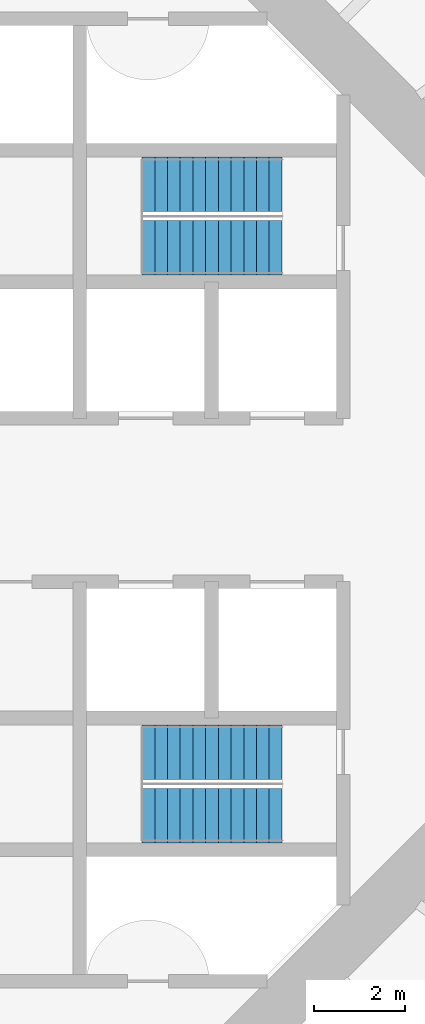
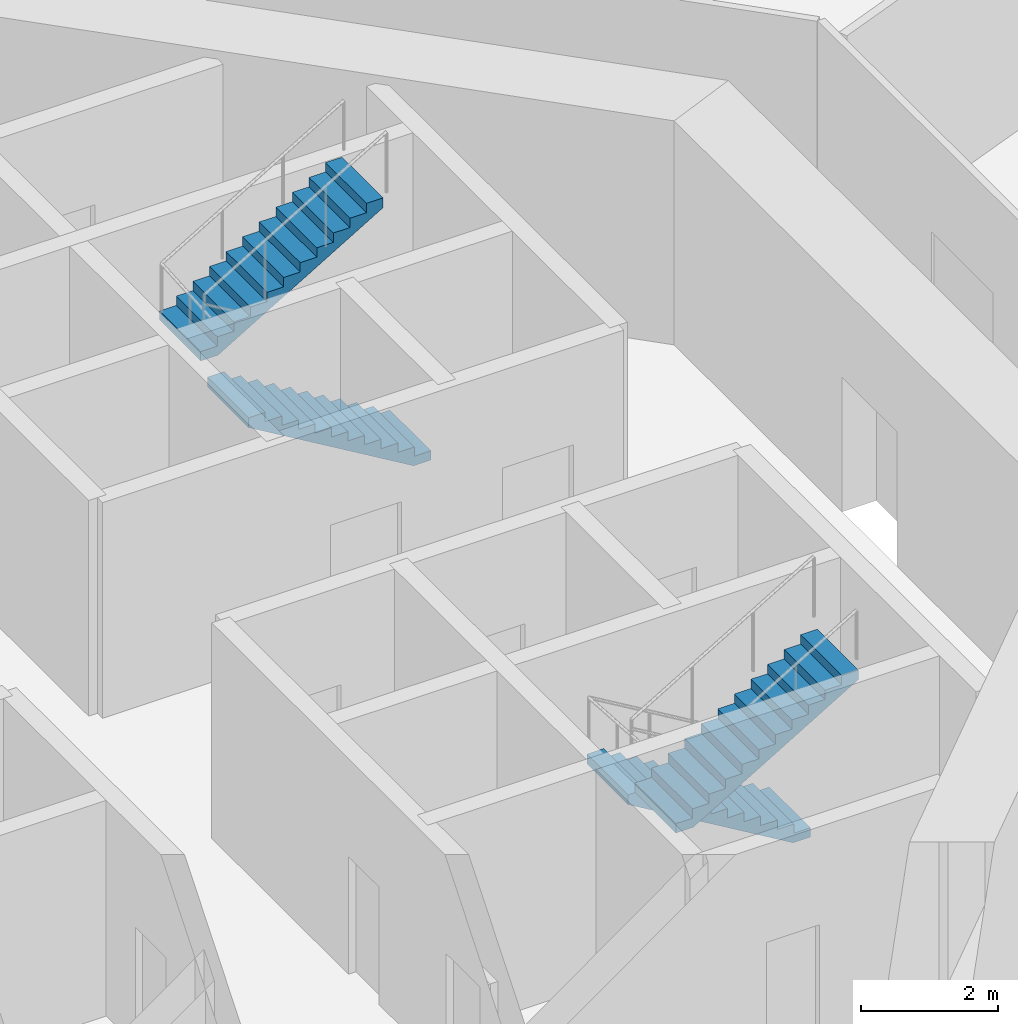
# One storey, part 6 of 13: 4 stair flights, 2 elements without a shape of their own.
"""IFC4 building model written with IfcOpenShell, lengths in metres."""

from ifc_helpers import new_model, si_unit, direction, frame, origin, place, context, subcontext, project, spatial, polyline, outline, extrude, material, type_object, element, aggregate, save


model = new_model("IFC4")

# Units and contexts
model_context = context("Model", 3, precision=1e-05, world=origin(), true_north=direction((0.0, 1.0)))
body_context = subcontext(model_context, "Body", "Model", "MODEL_VIEW")
ifc_project = project(units=[si_unit("LENGTHUNIT", "METRE"), si_unit("AREAUNIT", "SQUARE_METRE"), si_unit("VOLUMEUNIT", "CUBIC_METRE"), si_unit("PLANEANGLEUNIT", "RADIAN"), si_unit("MASSUNIT", "GRAM", prefix="KILO")], contexts=[model_context])

# Site, building, storey
site_placement = place(None, origin())
site = spatial("IfcSite", under=ifc_project, at=site_placement, CompositionType="ELEMENT")
building_placement = place(site_placement, origin())
building = spatial("IfcBuilding", under=site, at=building_placement, Name="Entoto Ring Tower", CompositionType="ELEMENT")
storey_placement = place(building_placement, frame((0.0, 0.0, 112.0)))
storey = spatial("IfcBuildingStorey", under=building, at=storey_placement, Name="L25", CompositionType="ELEMENT", Elevation=112.0)

# Stair, stair flights
ifc_material_1 = material(Name="Concrete C40/50", Category="concrete")
stair_type = type_object("IfcStairType", Name="Exit stair 1200 mm dog-leg reinforced concrete", PredefinedType="HALF_TURN_STAIR", material=ifc_material_1)
stair_1_placement = place(storey_placement, origin())
stair_1 = element("IfcStair", 1, at=stair_1_placement, inside=storey, type_object=stair_type, Name="Exit stair 1", PredefinedType="HALF_TURN_STAIR")
ifc_material_2 = material(Name="Concrete C40/50", Category="concrete")
stair_flight_type = type_object("IfcStairFlightType", Name="Stair flight 1200 mm reinforced concrete", PredefinedType="STRAIGHT", material=ifc_material_2)
stair_flight_1_placement = place(storey_placement, frame((99.25, 85.550048828125, 0.0), z_axis=(0.0, 0.0, 1.0), x_axis=(-1.0, 0.0, 0.0)))
stair_flight_1 = element("IfcStairFlight", 2, at=stair_flight_1_placement, type_object=stair_flight_type, Name="ST1 flight 1", NumberOfRisers=12, NumberOfTreads=11, PredefinedType="STRAIGHT", RiserHeight=0.166666667, TreadLength=0.28, context=body_context, shape_type="SweptSolid", body=[
    extrude(outline(polyline([(0.0, 0.0), (0.0, 0.166748046875), (0.280029296875, 0.166748046875), (0.280029296875, 0.333251953125), (0.56005859375, 0.333251953125), (0.56005859375, 0.5), (0.840087890625, 0.5), (0.840087890625, 0.666748046875), (1.1201171875, 0.666748046875), (1.1201171875, 0.833251953125), (1.39990234375, 0.833251953125), (1.39990234375, 1.0), (1.679931640625, 1.0), (1.679931640625, 1.166748046875), (1.9599609375, 1.166748046875), (1.9599609375, 1.333251953125), (2.239990234375, 1.333251953125), (2.239990234375, 1.5), (2.52001953125, 1.5), (2.52001953125, 1.666748046875), (2.800048828125, 1.666748046875), (2.800048828125, 1.833251953125), (3.080078125, 1.833251953125), (3.080078125, 2.0), (3.080078125, 1.658935546875), (0.29296875, 0.0), (0.0, 0.0)])), frame((0.0, 0.60009765625, 0.0), z_axis=(0.0, -1.0, 0.0), x_axis=(1.0, 0.0, 0.0)), (0.0, 0.0, 1.0), 1.199951171875),
])
stair_flight_2_placement = place(storey_placement, frame((96.169921875, 86.949951171875, 2.0), z_axis=(0.0, 0.0, 1.0), x_axis=(1.0, 0.0, 0.0)))
stair_flight_2 = element("IfcStairFlight", 3, at=stair_flight_2_placement, type_object=stair_flight_type, Name="ST1 flight 2", NumberOfRisers=12, NumberOfTreads=11, PredefinedType="STRAIGHT", RiserHeight=0.166666667, TreadLength=0.28, context=body_context, shape_type="SweptSolid", body=[
    extrude(outline(polyline([(0.0, 0.0), (0.0, 0.166748046875), (0.280029296875, 0.166748046875), (0.280029296875, 0.333251953125), (0.56005859375, 0.333251953125), (0.56005859375, 0.5), (0.840087890625, 0.5), (0.840087890625, 0.666748046875), (1.1201171875, 0.666748046875), (1.1201171875, 0.833251953125), (1.39990234375, 0.833251953125), (1.39990234375, 1.0), (1.679931640625, 1.0), (1.679931640625, 1.166748046875), (1.9599609375, 1.166748046875), (1.9599609375, 1.333251953125), (2.239990234375, 1.333251953125), (2.239990234375, 1.5), (2.52001953125, 1.5), (2.52001953125, 1.666748046875), (2.800048828125, 1.666748046875), (2.800048828125, 1.833251953125), (3.080078125, 1.833251953125), (3.080078125, 2.0), (3.080078125, 1.658935546875), (0.29296875, 0.0), (0.0, 0.0)])), frame((0.0, 0.60009765625, 0.0), z_axis=(0.0, -1.0, 0.0), x_axis=(1.0, 0.0, 0.0)), (0.0, 0.0, 1.0), 1.199951171875),
])
aggregate(stair_1, [stair_flight_1, stair_flight_2])

stair_2_placement = place(storey_placement, origin())
stair_2 = element("IfcStair", 4, at=stair_2_placement, inside=storey, type_object=stair_type, Name="Exit stair 3", PredefinedType="HALF_TURN_STAIR")
stair_flight_3_placement = place(storey_placement, frame((99.25, 74.449951171875, 0.0), z_axis=(0.0, 0.0, 1.0), x_axis=(-1.0, 0.0, 0.0)))
stair_flight_3 = element("IfcStairFlight", 5, at=stair_flight_3_placement, type_object=stair_flight_type, Name="ST3 flight 1", NumberOfRisers=12, NumberOfTreads=11, PredefinedType="STRAIGHT", RiserHeight=0.166666667, TreadLength=0.28, context=body_context, shape_type="SweptSolid", body=[
    extrude(outline(polyline([(0.0, 0.0), (0.0, 0.166748046875), (0.280029296875, 0.166748046875), (0.280029296875, 0.333251953125), (0.56005859375, 0.333251953125), (0.56005859375, 0.5), (0.840087890625, 0.5), (0.840087890625, 0.666748046875), (1.1201171875, 0.666748046875), (1.1201171875, 0.833251953125), (1.39990234375, 0.833251953125), (1.39990234375, 1.0), (1.679931640625, 1.0), (1.679931640625, 1.166748046875), (1.9599609375, 1.166748046875), (1.9599609375, 1.333251953125), (2.239990234375, 1.333251953125), (2.239990234375, 1.5), (2.52001953125, 1.5), (2.52001953125, 1.666748046875), (2.800048828125, 1.666748046875), (2.800048828125, 1.833251953125), (3.080078125, 1.833251953125), (3.080078125, 2.0), (3.080078125, 1.658935546875), (0.29296875, 0.0), (0.0, 0.0)])), frame((0.0, 0.60009765625, 0.0), z_axis=(0.0, -1.0, 0.0), x_axis=(1.0, 0.0, 0.0)), (0.0, 0.0, 1.0), 1.199951171875),
])
stair_flight_4_placement = place(storey_placement, frame((96.169921875, 73.050048828125, 2.0), z_axis=(0.0, 0.0, 1.0), x_axis=(1.0, 0.0, 0.0)))
stair_flight_4 = element("IfcStairFlight", 6, at=stair_flight_4_placement, type_object=stair_flight_type, Name="ST3 flight 2", NumberOfRisers=12, NumberOfTreads=11, PredefinedType="STRAIGHT", RiserHeight=0.166666667, TreadLength=0.28, context=body_context, shape_type="SweptSolid", body=[
    extrude(outline(polyline([(0.0, 0.0), (0.0, 0.166748046875), (0.280029296875, 0.166748046875), (0.280029296875, 0.333251953125), (0.56005859375, 0.333251953125), (0.56005859375, 0.5), (0.840087890625, 0.5), (0.840087890625, 0.666748046875), (1.1201171875, 0.666748046875), (1.1201171875, 0.833251953125), (1.39990234375, 0.833251953125), (1.39990234375, 1.0), (1.679931640625, 1.0), (1.679931640625, 1.166748046875), (1.9599609375, 1.166748046875), (1.9599609375, 1.333251953125), (2.239990234375, 1.333251953125), (2.239990234375, 1.5), (2.52001953125, 1.5), (2.52001953125, 1.666748046875), (2.800048828125, 1.666748046875), (2.800048828125, 1.833251953125), (3.080078125, 1.833251953125), (3.080078125, 2.0), (3.080078125, 1.658935546875), (0.29296875, 0.0), (0.0, 0.0)])), frame((0.0, 0.60009765625, 0.0), z_axis=(0.0, -1.0, 0.0), x_axis=(1.0, 0.0, 0.0)), (0.0, 0.0, 1.0), 1.199951171875),
])
aggregate(stair_2, [stair_flight_3, stair_flight_4])

save(model, "model.ifc")
